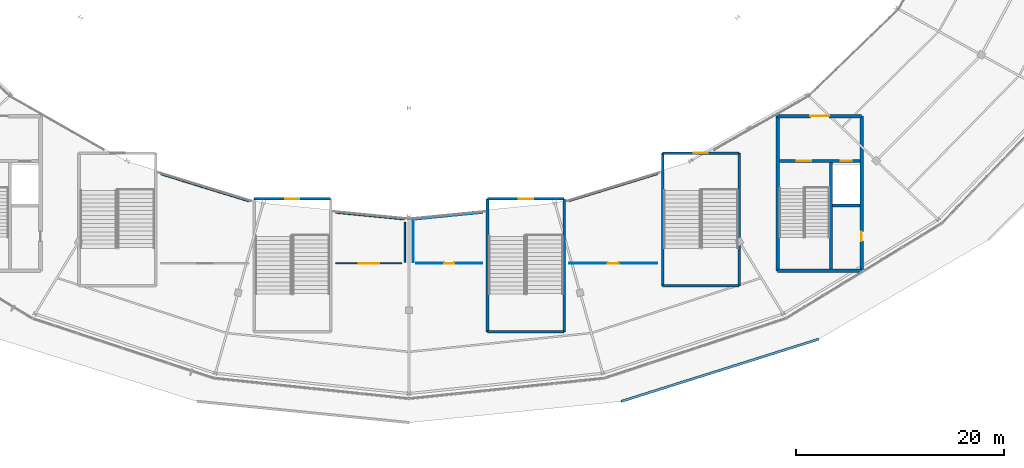
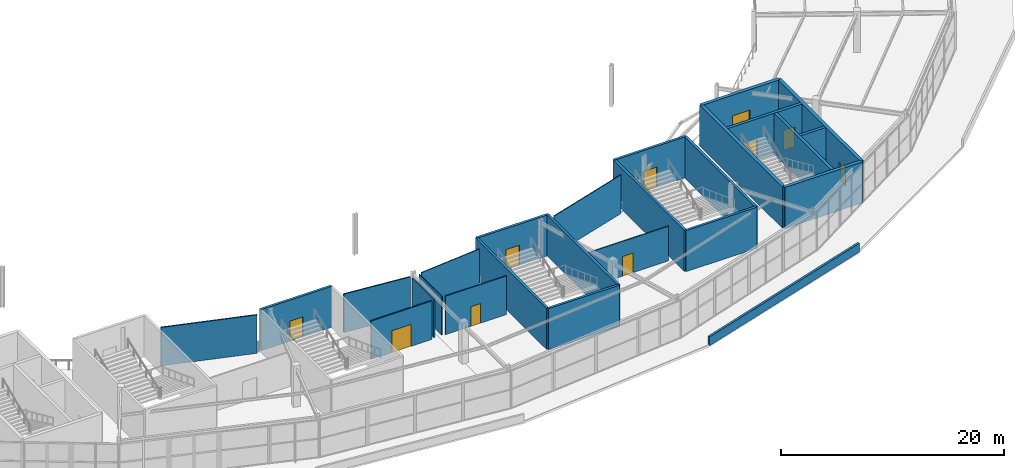
# One storey, part 106 of 126: 26 walls, 10 doors, 10 openings.
"""IFC4 building model written with IfcOpenShell, lengths in metres."""

from ifc_helpers import new_model, si_unit, direction, frame, frame_2d, origin, place, context, subcontext, project, spatial, rectangle, extrude, material, layer, layer_set, type_object, element, fill, save


model = new_model("IFC4")

# Units and contexts
model_context = context("Model", 3, precision=1e-05, world=origin(), true_north=direction((0.0, 1.0)))
body_context = subcontext(model_context, "Body", "Model", "MODEL_VIEW")
ifc_project = project(units=[si_unit("LENGTHUNIT", "METRE"), si_unit("AREAUNIT", "SQUARE_METRE"), si_unit("VOLUMEUNIT", "CUBIC_METRE"), si_unit("PLANEANGLEUNIT", "RADIAN"), si_unit("MASSUNIT", "GRAM", prefix="KILO")], contexts=[model_context])

# Site, building, storey
site_placement = place(None, origin())
site = spatial("IfcSite", under=ifc_project, at=site_placement, CompositionType="ELEMENT")
building_placement = place(site_placement, origin())
building = spatial("IfcBuilding", under=site, at=building_placement, Name="Kalgoora Escarpment Arena", CompositionType="ELEMENT")
storey_placement = place(building_placement, frame((0.0, 0.0, 18.89990234375)))
storey = spatial("IfcBuildingStorey", under=building, at=storey_placement, Name="L04", CompositionType="ELEMENT", Elevation=18.89990234375)

# Wall
ifc_material_1 = material(Name="Concrete N50 (fc' 50 MPa)", Category="concrete")
ifc_layer_1 = layer(ifc_material_1, 0.35009765625)
ifc_layer_set_1 = layer_set([ifc_layer_1], Name="WAL-CORE-350")
wall_type_1 = type_object("IfcWallType", Name="WAL-CORE-350", PredefinedType="SHEAR", material=ifc_layer_set_1)
wall_1_placement = place(storey_placement, frame((127.77490234375, 18.77490234375, 0.0), z_axis=(0.0, 0.0, 1.0), x_axis=(1.0, 0.0, 0.0)))
element("IfcWall", 1, at=wall_1_placement, inside=storey, type_object=wall_type_1, Name="Core C6 L04 south shear wall", PredefinedType="SHEAR", context=body_context, shape_type="SweptSolid", body=[
    extrude(rectangle(XDim=8.050048828125, YDim=0.35009765625, at=frame_2d((4.02490234375, 0.0))), origin(), (0.0, 0.0, 1.0), 4.5),
])

# Wall, opening, door
wall_2_placement = place(storey_placement, frame((127.77490234375, 33.625, 0.0), z_axis=(0.0, 0.0, 1.0), x_axis=(1.0, 0.0, 0.0)))
wall_2 = element("IfcWall", 2, at=wall_2_placement, inside=storey, type_object=wall_type_1, Name="Core C6 L04 north lobby wall", PredefinedType="SHEAR", context=body_context, shape_type="SweptSolid", body=[
    extrude(rectangle(XDim=8.050048828125, YDim=0.35009765625, at=frame_2d((4.02490234375, 0.0))), origin(), (0.0, 0.0, 1.0), 4.5),
])
opening_1_placement = place(wall_2_placement, frame((3.125, 0.0, 0.0)))
opening_1 = element("IfcOpeningElement", 3, at=opening_1_placement, cuts=wall_2, Name="Opening FD-C6L", PredefinedType="OPENING", context=body_context, shape_type="SweptSolid", body=[
    extrude(rectangle(XDim=1.800048828125, YDim=2.25, at=frame_2d((0.89990234375, 1.125))), frame((0.0, 0.18505859375, 0.0), z_axis=(0.0, -1.0, 0.0), x_axis=(1.0, 0.0, 0.0)), (0.0, 0.0, 1.0), 0.3701171875),
])
ifc_material_2 = material(Name="Double fire-rated smoke-seal lobby door")
door_type_1 = type_object("IfcDoorType", Name="DR-LOBBY-1800", OperationType="NOTDEFINED", PredefinedType="DOOR", material=ifc_material_2)
door_1_placement = place(opening_1_placement, origin())
door_1 = element("IfcDoor", 4, at=door_1_placement, inside=storey, type_object=door_type_1, Name="Core C6 L04 smoke-lobby fire door", OperationType="DOUBLE_DOOR_SINGLE_SWING", OverallHeight=2.25, OverallWidth=1.800048828125, PredefinedType="DOOR", context=body_context, shape_type="SweptSolid", body=[
    extrude(rectangle(XDim=1.800048828125, YDim=2.25, at=frame_2d((0.89990234375, 1.125))), frame((0.0, 0.02490234375, 0.0), z_axis=(0.0, -1.0, 0.0), x_axis=(1.0, 0.0, 0.0)), (0.0, 0.0, 1.0), 0.050048828125),
])
fill(opening_1, door_1)

# Wall
wall_3_placement = place(storey_placement, frame((127.77490234375, 18.77490234375, 0.0), z_axis=(0.0, 0.0, 1.0), x_axis=(0.0, 1.0, 0.0)))
element("IfcWall", 5, at=wall_3_placement, inside=storey, type_object=wall_type_1, Name="Core C6 L04 west shear wall", PredefinedType="SHEAR", context=body_context, shape_type="SweptSolid", body=[
    extrude(rectangle(XDim=14.85009765625, YDim=0.35009765625, at=frame_2d((7.425048828125, 0.0))), origin(), (0.0, 0.0, 1.0), 4.5),
])

# Wall, opening, door
wall_4_placement = place(storey_placement, frame((135.824951171875, 18.77490234375, 0.0), z_axis=(0.0, 0.0, 1.0), x_axis=(0.0, 1.0, 0.0)))
wall_4 = element("IfcWall", 6, at=wall_4_placement, inside=storey, type_object=wall_type_1, Name="Core C6 L04 east shear wall", PredefinedType="SHEAR", context=body_context, shape_type="SweptSolid", body=[
    extrude(rectangle(XDim=14.85009765625, YDim=0.35009765625, at=frame_2d((7.425048828125, 0.0))), origin(), (0.0, 0.0, 1.0), 4.5),
])
opening_2_placement = place(wall_4_placement, frame((2.85498046875, 0.0, 0.0)))
opening_2 = element("IfcOpeningElement", 7, at=opening_2_placement, cuts=wall_4, Name="Opening FD-C6R", PredefinedType="OPENING", context=body_context, shape_type="SweptSolid", body=[
    extrude(rectangle(XDim=0.89990234375, YDim=2.10009765625, at=frame_2d((0.449951171875, 1.050048828125))), frame((0.0, 0.18505859375, 0.0), z_axis=(0.0, -1.0, 0.0), x_axis=(1.0, 0.0, 0.0)), (0.0, 0.0, 1.0), 0.3701171875),
])
ifc_material_3 = material(Name="Fire-rated steel riser access door", Category="steel")
door_type_2 = type_object("IfcDoorType", Name="DR-RISER-0900", OperationType="NOTDEFINED", PredefinedType="DOOR", material=ifc_material_3)
door_2_placement = place(opening_2_placement, origin())
door_2 = element("IfcDoor", 8, at=door_2_placement, inside=storey, type_object=door_type_2, Name="Core C6 L04 riser cupboard access door", OperationType="SINGLE_SWING_RIGHT", OverallHeight=2.10009765625, OverallWidth=0.89990234375, PredefinedType="DOOR", context=body_context, shape_type="SweptSolid", body=[
    extrude(rectangle(XDim=0.89990234375, YDim=2.10009765625, at=frame_2d((0.449951171875, 1.050048828125))), frame((0.0, 0.02490234375, 0.0), z_axis=(0.0, -1.0, 0.0), x_axis=(1.0, 0.0, 0.0)), (0.0, 0.0, 1.0), 0.050048828125),
])
fill(opening_2, door_2)

# Walls
ifc_material_4 = material(Name="Hospitality acoustic drywall partition", Category="gypsum")
ifc_layer_2 = layer(ifc_material_4, 0.135009765625)
ifc_layer_set_2 = layer_set([ifc_layer_2], Name="WAL-DIN-135")
wall_type_2 = type_object("IfcWallType", Name="WAL-DIN-135", PredefinedType="PARTITIONING", material=ifc_layer_set_2)
wall_5_placement = place(storey_placement, frame((85.37451171875, 24.364501953125, 0.0), z_axis=(0.0, 0.0, 1.0), x_axis=(0.995273933926, -0.097107139011, 0.0)))
element("IfcWall", 9, at=wall_5_placement, inside=storey, type_object=wall_type_2, Name="L04 Southern Sky Bar partition wall", PredefinedType="PARTITIONING", context=body_context, shape_type="SweptSolid", body=[
    extrude(rectangle(XDim=6.576904296875, YDim=0.135009765625, at=frame_2d((3.28857421875, 0.0))), origin(), (0.0, 0.0, 1.0), 4.210205078125),
])
wall_6_placement = place(storey_placement, frame((92.0, 23.44091796875, 0.0), z_axis=(0.0, 0.0, 1.0), x_axis=(0.0, -1.0, 0.0)))
element("IfcWall", 10, at=wall_6_placement, inside=storey, type_object=wall_type_2, Name="L04 Southern Sky Bar partition wall", PredefinedType="PARTITIONING", context=body_context, shape_type="SweptSolid", body=[
    extrude(rectangle(XDim=3.86083984375, YDim=0.135009765625, at=frame_2d((1.930419921875, 0.0))), origin(), (0.0, 0.0, 1.0), 4.210205078125),
])

# Wall, opening, door
wall_7_placement = place(storey_placement, frame((91.715087890625, 19.5, 0.0), z_axis=(0.0, 0.0, 1.0), x_axis=(-1.0, 0.0, 0.0)))
wall_7 = element("IfcWall", 11, at=wall_7_placement, inside=storey, type_object=wall_type_2, Name="L04 Southern Sky Bar partition wall", PredefinedType="PARTITIONING", context=body_context, shape_type="SweptSolid", body=[
    extrude(rectangle(XDim=6.340087890625, YDim=0.135009765625, at=frame_2d((3.169921875, 0.0))), origin(), (0.0, 0.0, 1.0), 4.210205078125),
])
opening_3_placement = place(wall_7_placement, frame((2.195068359375, 0.0, 0.0)))
opening_3 = element("IfcOpeningElement", 12, at=opening_3_placement, cuts=wall_7, Name="Opening FD-I139", PredefinedType="OPENING", context=body_context, shape_type="SweptSolid", body=[
    extrude(rectangle(XDim=1.949951171875, YDim=2.39990234375, at=frame_2d((0.97509765625, 1.199951171875))), frame((0.0, 0.077392578125, 0.0), z_axis=(0.0, -1.0, 0.0), x_axis=(1.0, 0.0, 0.0)), (0.0, 0.0, 1.0), 0.155029296875),
])
ifc_material_5 = material(Name="Glazed champagne-framed hospitality double door")
door_type_3 = type_object("IfcDoorType", Name="DR-CLUB-1950", OperationType="NOTDEFINED", PredefinedType="DOOR", material=ifc_material_5)
door_3_placement = place(opening_3_placement, origin())
door_3 = element("IfcDoor", 13, at=door_3_placement, inside=storey, type_object=door_type_3, Name="Southern Sky Bar entrance door", OperationType="DOUBLE_DOOR_SINGLE_SWING", OverallHeight=2.39990234375, OverallWidth=1.949951171875, PredefinedType="DOOR", context=body_context, shape_type="SweptSolid", body=[
    extrude(rectangle(XDim=1.949951171875, YDim=2.39990234375, at=frame_2d((0.97509765625, 1.199951171875))), frame((0.0, 0.02490234375, 0.0), z_axis=(0.0, -1.0, 0.0), x_axis=(1.0, 0.0, 0.0)), (0.0, 0.0, 1.0), 0.050048828125),
])
fill(opening_3, door_3)

# Walls
wall_8_placement = place(storey_placement, frame((68.571533203125, 28.052978515625, 0.0), z_axis=(0.0, 0.0, 1.0), x_axis=(0.955968559478, -0.293469101082, 0.0)))
element("IfcWall", 14, at=wall_8_placement, inside=storey, type_object=wall_type_2, Name="L04 Southern Sky Bar 2 partition wall", PredefinedType="PARTITIONING", context=body_context, shape_type="SweptSolid", body=[
    extrude(rectangle(XDim=8.8466796875, YDim=0.135009765625, at=frame_2d((4.42333984375, 0.0))), origin(), (0.0, 0.0, 1.0), 4.210205078125),
])
ifc_material_6 = material(Name="Precast limestone coping parapet Concrete N40 (fc' 40 MPa)", Category="masonry")
ifc_layer_3 = layer(ifc_material_6, 0.22509765625)
ifc_layer_set_3 = layer_set([ifc_layer_3], Name="WAL-PAR-225")
wall_type_3 = type_object("IfcWallType", Name="WAL-PAR-225", PredefinedType="PARAPET", material=ifc_layer_set_3)
wall_9_placement = place(storey_placement, frame((131.699951171875, 12.211669921875, 0.0), z_axis=(0.0, 0.0, 1.0), x_axis=(-0.953759231515, -0.300571669159, 0.0)))
element("IfcWall", 15, at=wall_9_placement, inside=storey, type_object=wall_type_3, Name="L04 stepped ziggurat limestone parapet 017", PredefinedType="PARAPET", context=body_context, shape_type="SweptSolid", body=[
    extrude(rectangle(XDim=19.8759765625, YDim=0.22509765625, at=frame_2d((9.93798828125, 0.0))), origin(), (0.0, 0.0, 1.0), 0.9501953125),
])
ifc_material_7 = material(Name="Compact service suite partition", Category="gypsum")
ifc_layer_4 = layer(ifc_material_7, 0.094970703125)
ifc_layer_set_4 = layer_set([ifc_layer_4], Name="WAL-POD-095")
wall_type_4 = type_object("IfcWallType", Name="WAL-POD-095", PredefinedType="PARTITIONING", material=ifc_layer_set_4)
wall_10_placement = place(storey_placement, frame((107.771484375, 25.456787109375, 0.0), z_axis=(0.0, 0.0, 1.0), x_axis=(0.955968559478, 0.293469101082, 0.0)))
element("IfcWall", 16, at=wall_10_placement, inside=storey, type_object=wall_type_4, Name="L04 Acoustic Reverberation Gallery partition wall", PredefinedType="PARTITIONING", context=body_context, shape_type="SweptSolid", body=[
    extrude(rectangle(XDim=8.8466796875, YDim=0.094970703125, at=frame_2d((4.42333984375, 0.0))), origin(), (0.0, 0.0, 1.0), 4.22998046875),
])

# Wall, opening, door
wall_11_placement = place(storey_placement, frame((116.22509765625, 19.5, 0.0), z_axis=(0.0, 0.0, 1.0), x_axis=(-1.0, 0.0, 0.0)))
wall_11 = element("IfcWall", 17, at=wall_11_placement, inside=storey, type_object=wall_type_4, Name="L04 Acoustic Reverberation Gallery partition wall", PredefinedType="PARTITIONING", context=body_context, shape_type="SweptSolid", body=[
    extrude(rectangle(XDim=8.4501953125, YDim=0.094970703125, at=frame_2d((4.22509765625, 0.0))), origin(), (0.0, 0.0, 1.0), 3.799072265625),
])
opening_4_placement = place(wall_11_placement, frame((3.68505859375, 0.0, 0.0)))
opening_4 = element("IfcOpeningElement", 18, at=opening_4_placement, cuts=wall_11, Name="Opening FD-I141", PredefinedType="OPENING", context=body_context, shape_type="SweptSolid", body=[
    extrude(rectangle(XDim=1.080078125, YDim=2.14990234375, at=frame_2d((0.5400390625, 1.074951171875))), frame((0.0, 0.057373046875, 0.0), z_axis=(0.0, -1.0, 0.0), x_axis=(1.0, 0.0, 0.0)), (0.0, 0.0, 1.0), 0.114990234375),
])
ifc_material_8 = material(Name="Solid-core acoustic timber door", Category="wood")
door_type_4 = type_object("IfcDoorType", Name="DR-GEN-1080", OperationType="NOTDEFINED", PredefinedType="DOOR", material=ifc_material_8)
door_4_placement = place(opening_4_placement, origin())
door_4 = element("IfcDoor", 19, at=door_4_placement, inside=storey, type_object=door_type_4, Name="Acoustic Reverberation Gallery entrance door", OperationType="SINGLE_SWING_LEFT", OverallHeight=2.14990234375, OverallWidth=1.080078125, PredefinedType="DOOR", context=body_context, shape_type="SweptSolid", body=[
    extrude(rectangle(XDim=1.080078125, YDim=2.14990234375, at=frame_2d((0.5400390625, 1.074951171875))), frame((0.0, 0.02490234375, 0.0), z_axis=(0.0, -1.0, 0.0), x_axis=(1.0, 0.0, 0.0)), (0.0, 0.0, 1.0), 0.050048828125),
])
fill(opening_4, door_4)

# Walls
wall_12_placement = place(storey_placement, frame((92.800048828125, 19.580078125, 0.0), z_axis=(0.0, 0.0, 1.0), x_axis=(0.0, 1.0, 0.0)))
element("IfcWall", 20, at=wall_12_placement, inside=storey, type_object=wall_type_4, Name="L04 Acoustic Reverberation Gallery 2 partition wall", PredefinedType="PARTITIONING", context=body_context, shape_type="SweptSolid", body=[
    extrude(rectangle(XDim=4.057861328125, YDim=0.094970703125, at=frame_2d((2.02880859375, 0.0))), origin(), (0.0, 0.0, 1.0), 4.22998046875),
])
wall_13_placement = place(storey_placement, frame((93.07568359375, 23.744873046875, 0.0), z_axis=(0.0, 0.0, 1.0), x_axis=(0.9952722884, 0.097124002921, 0.0)))
element("IfcWall", 21, at=wall_13_placement, inside=storey, type_object=wall_type_4, Name="L04 Acoustic Reverberation Gallery 2 partition wall", PredefinedType="PARTITIONING", context=body_context, shape_type="SweptSolid", body=[
    extrude(rectangle(XDim=6.3798828125, YDim=0.094970703125, at=frame_2d((3.18994140625, 0.0))), origin(), (0.0, 0.0, 1.0), 4.22998046875),
])

# Wall, opening, door
wall_14_placement = place(storey_placement, frame((99.425048828125, 19.5, 0.0), z_axis=(0.0, 0.0, 1.0), x_axis=(-1.0, 0.0, 0.0)))
wall_14 = element("IfcWall", 22, at=wall_14_placement, inside=storey, type_object=wall_type_4, Name="L04 Acoustic Reverberation Gallery 2 partition wall", PredefinedType="PARTITIONING", context=body_context, shape_type="SweptSolid", body=[
    extrude(rectangle(XDim=6.34033203125, YDim=0.094970703125, at=frame_2d((3.170166015625, 0.0))), origin(), (0.0, 0.0, 1.0), 4.22998046875),
])
opening_5_placement = place(wall_14_placement, frame((2.68017578125, 0.0, 0.0)))
opening_5 = element("IfcOpeningElement", 23, at=opening_5_placement, cuts=wall_14, Name="Opening D-I142", PredefinedType="OPENING", context=body_context, shape_type="SweptSolid", body=[
    extrude(rectangle(XDim=0.97998046875, YDim=2.14990234375, at=frame_2d((0.489990234375, 1.074951171875))), frame((0.0, 0.057373046875, 0.0), z_axis=(0.0, -1.0, 0.0), x_axis=(1.0, 0.0, 0.0)), (0.0, 0.0, 1.0), 0.114990234375),
])
ifc_material_9 = material(Name="Solid-core acoustic timber door", Category="wood")
door_type_5 = type_object("IfcDoorType", Name="DR-GEN-0980", OperationType="NOTDEFINED", PredefinedType="DOOR", material=ifc_material_9)
door_5_placement = place(opening_5_placement, origin())
door_5 = element("IfcDoor", 24, at=door_5_placement, inside=storey, type_object=door_type_5, Name="Acoustic Reverberation Gallery 2 entrance door", OperationType="SINGLE_SWING_RIGHT", OverallHeight=2.14990234375, OverallWidth=0.97998046875, PredefinedType="DOOR", context=body_context, shape_type="SweptSolid", body=[
    extrude(rectangle(XDim=0.97998046875, YDim=2.14990234375, at=frame_2d((0.489990234375, 1.074951171875))), frame((0.0, 0.02490234375, 0.0), z_axis=(0.0, -1.0, 0.0), x_axis=(1.0, 0.0, 0.0)), (0.0, 0.0, 1.0), 0.050048828125),
])
fill(opening_5, door_5)

# Wall, openings, doors
ifc_material_10 = material(Name="Concrete N50 (fc' 50 MPa)", Category="concrete")
ifc_layer_5 = layer(ifc_material_10, 0.300048828125)
ifc_layer_set_5 = layer_set([ifc_layer_5], Name="WAL-SHAFT-300")
wall_type_5 = type_object("IfcWallType", Name="WAL-SHAFT-300", PredefinedType="SHEAR", material=ifc_layer_set_5)
wall_15_placement = place(storey_placement, frame((127.949951171875, 29.300048828125, 0.0), z_axis=(0.0, 0.0, 1.0), x_axis=(1.0, 0.0, 0.0)))
wall_15 = element("IfcWall", 25, at=wall_15_placement, inside=storey, type_object=wall_type_5, Name="Core C6 L04 lobby shaft wall", PredefinedType="SHEAR", context=body_context, shape_type="SweptSolid", body=[
    extrude(rectangle(XDim=7.699951171875, YDim=0.300048828125, at=frame_2d((3.85009765625, 0.0))), origin(), (0.0, 0.0, 1.0), 4.5),
])
opening_6_placement = place(wall_15_placement, frame((1.64990234375, 0.0, 0.0)))
opening_6 = element("IfcOpeningElement", 26, at=opening_6_placement, cuts=wall_15, Name="Opening FD-ST06", PredefinedType="OPENING", context=body_context, shape_type="SweptSolid", body=[
    extrude(rectangle(XDim=1.39990234375, YDim=2.199951171875, at=frame_2d((0.699951171875, 1.10009765625))), frame((0.0, 0.159912109375, 0.0), z_axis=(0.0, -1.0, 0.0), x_axis=(1.0, 0.0, 0.0)), (0.0, 0.0, 1.0), 0.320068359375),
])
opening_7_placement = place(wall_15_placement, frame((5.85009765625, 0.0, 0.0)))
opening_7 = element("IfcOpeningElement", 27, at=opening_7_placement, cuts=wall_15, Name="Opening LD-PL4", PredefinedType="OPENING", context=body_context, shape_type="SweptSolid", body=[
    extrude(rectangle(XDim=1.10009765625, YDim=2.199951171875, at=frame_2d((0.550048828125, 1.10009765625))), frame((0.0, 0.159912109375, 0.0), z_axis=(0.0, -1.0, 0.0), x_axis=(1.0, 0.0, 0.0)), (0.0, 0.0, 1.0), 0.320068359375),
])
ifc_material_11 = material(Name="Brushed stainless steel sliding lift landing door", Category="steel")
door_type_6 = type_object("IfcDoorType", Name="DR-LD-PL4", OperationType="SLIDING_TO_LEFT", PredefinedType="DOOR", material=ifc_material_11)
door_6_placement = place(opening_7_placement, origin())
door_6 = element("IfcDoor", 28, at=door_6_placement, inside=storey, type_object=door_type_6, Name="Lift PL4 L04 sliding landing door", OperationType="SLIDING_TO_LEFT", OverallHeight=2.199951171875, OverallWidth=1.10009765625, PredefinedType="DOOR", context=body_context, shape_type="SweptSolid", body=[
    extrude(rectangle(XDim=1.10009765625, YDim=2.199951171875, at=frame_2d((0.550048828125, 1.10009765625))), frame((0.0, 0.02490234375, 0.0), z_axis=(0.0, -1.0, 0.0), x_axis=(1.0, 0.0, 0.0)), (0.0, 0.0, 1.0), 0.050048828125),
])
fill(opening_7, door_6)
ifc_material_12 = material(Name="Fire-rated steel stair leaf with vision panel", Category="steel")
door_type_7 = type_object("IfcDoorType", Name="DR-STAIR-1400", OperationType="NOTDEFINED", PredefinedType="DOOR", material=ifc_material_12)
door_7_placement = place(opening_6_placement, origin())
door_7 = element("IfcDoor", 29, at=door_7_placement, inside=storey, type_object=door_type_7, Name="Fire stair ST06 L04 fire door", OperationType="SINGLE_SWING_LEFT", OverallHeight=2.199951171875, OverallWidth=1.39990234375, PredefinedType="DOOR", context=body_context, shape_type="SweptSolid", body=[
    extrude(rectangle(XDim=1.39990234375, YDim=2.199951171875, at=frame_2d((0.699951171875, 1.10009765625))), frame((0.0, 0.02490234375, 0.0), z_axis=(0.0, -1.0, 0.0), x_axis=(1.0, 0.0, 0.0)), (0.0, 0.0, 1.0), 0.050048828125),
])
fill(opening_6, door_7)

# Walls
wall_16_placement = place(storey_placement, frame((132.89990234375, 18.949951171875, 0.0), z_axis=(0.0, 0.0, 1.0), x_axis=(0.0, 1.0, 0.0)))
element("IfcWall", 30, at=wall_16_placement, inside=storey, type_object=wall_type_5, Name="Core C6 L04 stair-lift spine wall", PredefinedType="SHEAR", context=body_context, shape_type="SweptSolid", body=[
    extrude(rectangle(XDim=10.35009765625, YDim=0.300048828125, at=frame_2d((5.175048828125, 0.0))), origin(), (0.0, 0.0, 1.0), 4.5),
])
wall_17_placement = place(storey_placement, frame((133.050048828125, 25.050048828125, 0.0), z_axis=(0.0, 0.0, 1.0), x_axis=(1.0, 0.0, 0.0)))
element("IfcWall", 31, at=wall_17_placement, inside=storey, type_object=wall_type_5, Name="Core C6 L04 lift-riser divider wall", PredefinedType="SHEAR", context=body_context, shape_type="SweptSolid", body=[
    extrude(rectangle(XDim=2.599853515625, YDim=0.300048828125, at=frame_2d((1.2998046875, 0.0))), origin(), (0.0, 0.0, 1.0), 4.5),
])

# Wall, opening, door
ifc_material_13 = material(Name="Concrete N50 (fc' 50 MPa)", Category="concrete")
ifc_layer_6 = layer(ifc_material_13, 0.25)
ifc_layer_set_6 = layer_set([ifc_layer_6], Name="WAL-STAIR-250")
wall_type_6 = type_object("IfcWallType", Name="WAL-STAIR-250", PredefinedType="SHEAR", material=ifc_layer_set_6)
wall_18_placement = place(storey_placement, frame((77.52490234375, 25.675048828125, 0.0), z_axis=(0.0, 0.0, 1.0), x_axis=(1.0, 0.0, 0.0)))
wall_18 = element("IfcWall", 32, at=wall_18_placement, inside=storey, type_object=wall_type_6, Name="Exit stair ST14 L04 north wall", PredefinedType="SHEAR", context=body_context, shape_type="SweptSolid", body=[
    extrude(rectangle(XDim=7.35009765625, YDim=0.25, at=frame_2d((3.675048828125, 0.0))), origin(), (0.0, 0.0, 1.0), 4.5),
])
opening_8_placement = place(wall_18_placement, frame((3.014892578125, 0.0, 0.0)))
opening_8 = element("IfcOpeningElement", 33, at=opening_8_placement, cuts=wall_18, Name="Opening FD-ST14", PredefinedType="OPENING", context=body_context, shape_type="SweptSolid", body=[
    extrude(rectangle(XDim=1.320068359375, YDim=2.199951171875, at=frame_2d((0.66015625, 1.10009765625))), frame((0.0, 0.135009765625, 0.0), z_axis=(0.0, -1.0, 0.0), x_axis=(1.0, 0.0, 0.0)), (0.0, 0.0, 1.0), 0.27001953125),
])
ifc_material_14 = material(Name="Fire-rated steel stair leaf with vision panel", Category="steel")
door_type_8 = type_object("IfcDoorType", Name="DR-STAIR-1320", OperationType="NOTDEFINED", PredefinedType="DOOR", material=ifc_material_14)
door_8_placement = place(opening_8_placement, origin())
door_8 = element("IfcDoor", 34, at=door_8_placement, inside=storey, type_object=door_type_8, Name="Fire-isolated stair ST14 L04 egress door", OperationType="SINGLE_SWING_RIGHT", OverallHeight=2.199951171875, OverallWidth=1.320068359375, PredefinedType="DOOR", context=body_context, shape_type="SweptSolid", body=[
    extrude(rectangle(XDim=1.320068359375, YDim=2.199951171875, at=frame_2d((0.66015625, 1.10009765625))), frame((0.0, 0.02490234375, 0.0), z_axis=(0.0, -1.0, 0.0), x_axis=(1.0, 0.0, 0.0)), (0.0, 0.0, 1.0), 0.050048828125),
])
fill(opening_8, door_8)

# Wall
wall_19_placement = place(storey_placement, frame((99.925048828125, 12.925048828125, 0.0), z_axis=(0.0, 0.0, 1.0), x_axis=(1.0, 0.0, 0.0)))
element("IfcWall", 35, at=wall_19_placement, inside=storey, type_object=wall_type_6, Name="Exit stair ST15 L04 south wall", PredefinedType="SHEAR", context=body_context, shape_type="SweptSolid", body=[
    extrude(rectangle(XDim=7.349853515625, YDim=0.25, at=frame_2d((3.6748046875, 0.0))), origin(), (0.0, 0.0, 1.0), 4.5),
])

# Wall, opening, door
wall_20_placement = place(storey_placement, frame((99.925048828125, 25.675048828125, 0.0), z_axis=(0.0, 0.0, 1.0), x_axis=(1.0, 0.0, 0.0)))
wall_20 = element("IfcWall", 36, at=wall_20_placement, inside=storey, type_object=wall_type_6, Name="Exit stair ST15 L04 north wall", PredefinedType="SHEAR", context=body_context, shape_type="SweptSolid", body=[
    extrude(rectangle(XDim=7.349853515625, YDim=0.25, at=frame_2d((3.6748046875, 0.0))), origin(), (0.0, 0.0, 1.0), 4.5),
])
opening_9_placement = place(wall_20_placement, frame((2.97509765625, 0.0, 0.0)))
opening_9 = element("IfcOpeningElement", 37, at=opening_9_placement, cuts=wall_20, Name="Opening FD-ST15", PredefinedType="OPENING", context=body_context, shape_type="SweptSolid", body=[
    extrude(rectangle(XDim=1.39990234375, YDim=2.199951171875, at=frame_2d((0.699951171875, 1.10009765625))), frame((0.0, 0.135009765625, 0.0), z_axis=(0.0, -1.0, 0.0), x_axis=(1.0, 0.0, 0.0)), (0.0, 0.0, 1.0), 0.27001953125),
])
door_9_placement = place(opening_9_placement, origin())
door_9 = element("IfcDoor", 38, at=door_9_placement, inside=storey, type_object=door_type_7, Name="Fire-isolated stair ST15 L04 egress door", OperationType="SINGLE_SWING_LEFT", OverallHeight=2.199951171875, OverallWidth=1.39990234375, PredefinedType="DOOR", context=body_context, shape_type="SweptSolid", body=[
    extrude(rectangle(XDim=1.39990234375, YDim=2.199951171875, at=frame_2d((0.699951171875, 1.10009765625))), frame((0.0, 0.02490234375, 0.0), z_axis=(0.0, -1.0, 0.0), x_axis=(1.0, 0.0, 0.0)), (0.0, 0.0, 1.0), 0.050048828125),
])
fill(opening_9, door_9)

# Walls
for number, where, z_axis, x_axis, name in (
    (39, (99.925048828125, 12.925048828125, 0.0), (0.0, 0.0, 1.0), (0.0, 1.0, 0.0), "Exit stair ST15 L04 west wall"),
    (40, (107.27490234375, 12.925048828125, 0.0), (0.0, 0.0, 1.0), (0.0, 1.0, 0.0), "Exit stair ST15 L04 east wall"),
):
    element("IfcWall", number, at=place(storey_placement, frame(where, z_axis=z_axis, x_axis=x_axis)), inside=storey, type_object=wall_type_6, Name=name, PredefinedType="SHEAR", context=body_context, shape_type="SweptSolid", body=[
        extrude(rectangle(XDim=12.75, YDim=0.25, at=frame_2d((6.375, 0.0))), origin(), (0.0, 0.0, 1.0), 4.5),
    ])
wall_21_placement = place(storey_placement, frame((116.72509765625, 17.324951171875, 0.0), z_axis=(0.0, 0.0, 1.0), x_axis=(1.0, 0.0, 0.0)))
element("IfcWall", 41, at=wall_21_placement, inside=storey, type_object=wall_type_6, Name="Exit stair ST16 L04 south wall", PredefinedType="SHEAR", context=body_context, shape_type="SweptSolid", body=[
    extrude(rectangle(XDim=7.349853515625, YDim=0.25, at=frame_2d((3.6748046875, 0.0))), origin(), (0.0, 0.0, 1.0), 4.5),
])

# Wall, opening, door
wall_22_placement = place(storey_placement, frame((116.72509765625, 30.074951171875, 0.0), z_axis=(0.0, 0.0, 1.0), x_axis=(1.0, 0.0, 0.0)))
wall_22 = element("IfcWall", 42, at=wall_22_placement, inside=storey, type_object=wall_type_6, Name="Exit stair ST16 L04 north wall", PredefinedType="SHEAR", context=body_context, shape_type="SweptSolid", body=[
    extrude(rectangle(XDim=7.349853515625, YDim=0.25, at=frame_2d((3.6748046875, 0.0))), origin(), (0.0, 0.0, 1.0), 4.5),
])
opening_10_placement = place(wall_22_placement, frame((3.014892578125, 0.0, 0.0)))
opening_10 = element("IfcOpeningElement", 43, at=opening_10_placement, cuts=wall_22, Name="Opening FD-ST16", PredefinedType="OPENING", context=body_context, shape_type="SweptSolid", body=[
    extrude(rectangle(XDim=1.320068359375, YDim=2.199951171875, at=frame_2d((0.66015625, 1.10009765625))), frame((0.0, 0.135009765625, 0.0), z_axis=(0.0, -1.0, 0.0), x_axis=(1.0, 0.0, 0.0)), (0.0, 0.0, 1.0), 0.27001953125),
])
door_10_placement = place(opening_10_placement, origin())
door_10 = element("IfcDoor", 44, at=door_10_placement, inside=storey, type_object=door_type_8, Name="Fire-isolated stair ST16 L04 egress door", OperationType="SINGLE_SWING_LEFT", OverallHeight=2.199951171875, OverallWidth=1.320068359375, PredefinedType="DOOR", context=body_context, shape_type="SweptSolid", body=[
    extrude(rectangle(XDim=1.320068359375, YDim=2.199951171875, at=frame_2d((0.66015625, 1.10009765625))), frame((0.0, 0.02490234375, 0.0), z_axis=(0.0, -1.0, 0.0), x_axis=(1.0, 0.0, 0.0)), (0.0, 0.0, 1.0), 0.050048828125),
])
fill(opening_10, door_10)

# Walls
for number, where, z_axis, x_axis, name in (
    (45, (116.72509765625, 17.324951171875, 0.0), (0.0, 0.0, 1.0), (0.0, 1.0, 0.0), "Exit stair ST16 L04 west wall"),
    (46, (124.074951171875, 17.324951171875, 0.0), (0.0, 0.0, 1.0), (0.0, 1.0, 0.0), "Exit stair ST16 L04 east wall"),
):
    element("IfcWall", number, at=place(storey_placement, frame(where, z_axis=z_axis, x_axis=x_axis)), inside=storey, type_object=wall_type_6, Name=name, PredefinedType="SHEAR", context=body_context, shape_type="SweptSolid", body=[
        extrude(rectangle(XDim=12.75, YDim=0.25, at=frame_2d((6.375, 0.0))), origin(), (0.0, 0.0, 1.0), 4.5),
    ])

save(model, "model.ifc")
